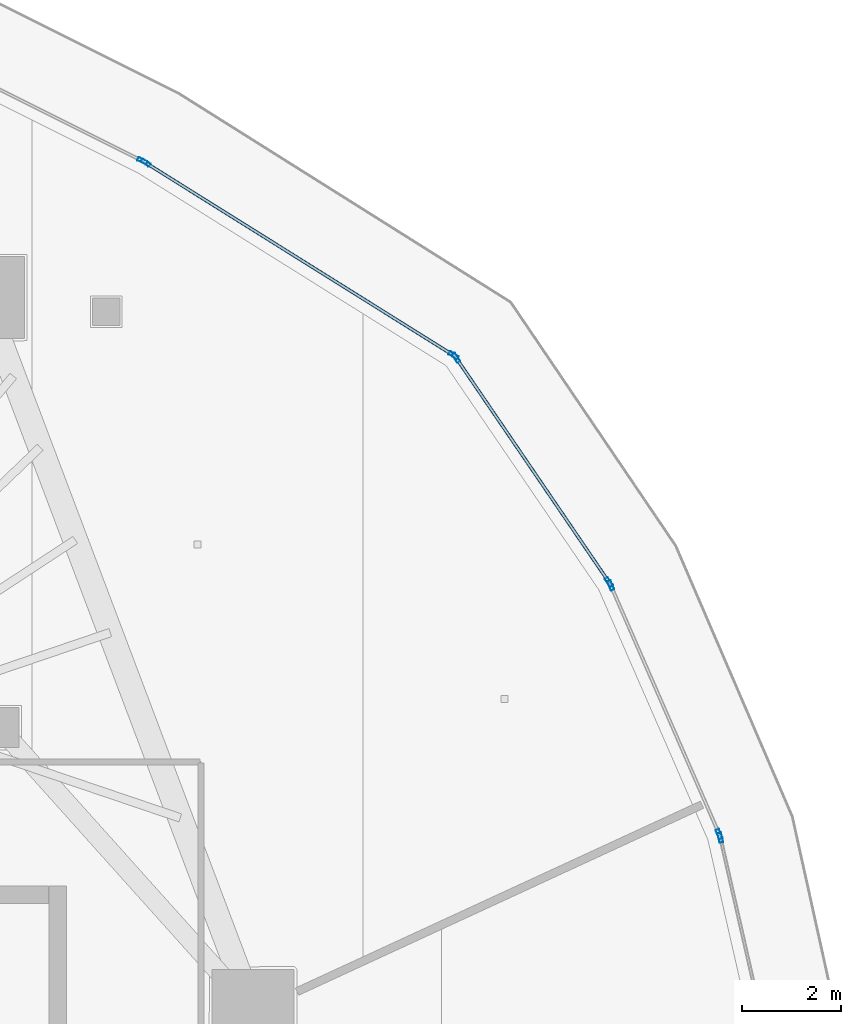
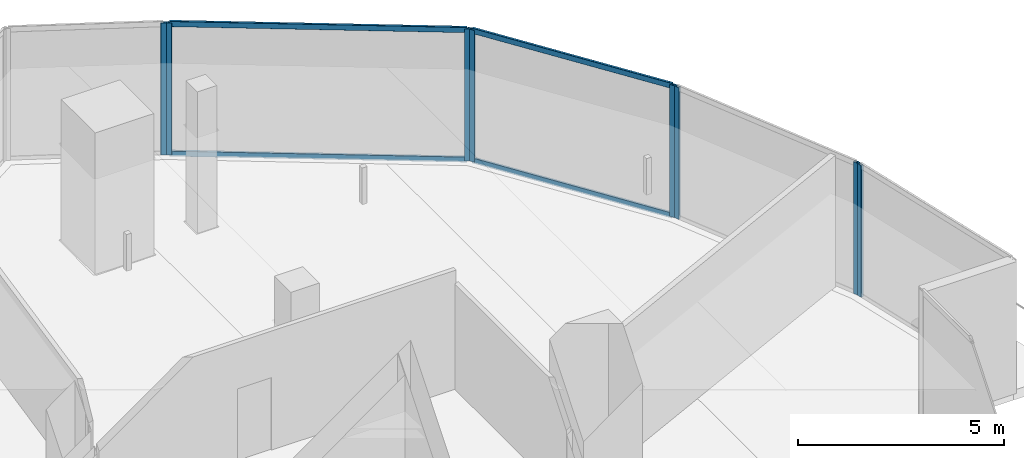
# One storey, part 19 of 31: 12 members, 5 elements without a shape of their own.
"""IFC4 building model written with IfcOpenShell, lengths in metres."""

import ifcopenshell
import ifcopenshell.guid

model = None  # the IFC model being written
_history = None  # IfcOwnerHistory: only IFC2X3 demands one
_inside = {}  # id of a spatial element -> (the spatial element, [elements in it])
_under = {}  # id of a project, library or spatial element -> (it, [spatial elements below it])
_declared = {}  # id of a project -> (the project, [libraries it declares])
_typed = {}  # id of a type object -> (the type object, [elements of that type])
_made_of = {}  # id of a material, layer set ... -> (it, [elements and type objects made of it])


def new_model(schema):
    """Start an empty IFC model of exactly this schema.

    Asked for "IFC4X3", IfcOpenShell would pick the latest addendum, in which some entities
    have other attributes; the version numbers below select the first issue.
    IFC2X3 requires an IfcOwnerHistory on every rooted entity: one is made here for all.
    """
    global model, _history
    if schema == "IFC4X3":
        model = ifcopenshell.file(schema_version=(4, 3, 0, 0))
    else:
        model = ifcopenshell.file(schema=schema)
    _inside.clear()
    _under.clear()
    _declared.clear()
    _typed.clear()
    _made_of.clear()
    _history = None
    if model.schema == "IFC2X3":
        org = make("IfcOrganization", Name="unknown")
        user = make(
            "IfcPersonAndOrganization",
            ThePerson=make("IfcPerson", FamilyName="unknown"),
            TheOrganization=org,
        )
        app = make(
            "IfcApplication",
            ApplicationDeveloper=org,
            Version="unknown",
            ApplicationFullName="unknown",
            ApplicationIdentifier="unknown",
        )
        _history = make(
            "IfcOwnerHistory",
            OwningUser=user,
            OwningApplication=app,
            ChangeAction="ADDED",
            CreationDate=0,
        )
    return model


def make(cls, **values):
    """One entity of the class cls with the attributes given. An attribute that is None is left unset."""
    return model.create_entity(
        cls, **{name: value for name, value in values.items() if value is not None}
    )


def rooted(cls, **values):
    """An entity with a GlobalId (a new one), such as an element, a storey or a relation."""
    return make(cls, GlobalId=ifcopenshell.guid.new(), OwnerHistory=_history, **values)


def si_unit(unit_type, name, prefix=None):
    """IfcSIUnit, for example si_unit("LENGTHUNIT", "METRE", prefix="MILLI")."""
    return make("IfcSIUnit", UnitType=unit_type, Prefix=prefix, Name=name)


def assignment(units):
    """IfcUnitAssignment: the units of a project."""
    return None if units is None else make("IfcUnitAssignment", Units=units)


def point(xyz):
    """IfcCartesianPoint."""
    return None if xyz is None else make("IfcCartesianPoint", Coordinates=xyz)


def direction(xyz):
    """IfcDirection."""
    return None if xyz is None else make("IfcDirection", DirectionRatios=xyz)


def frame(location, z_axis=None, x_axis=None):
    """IfcAxis2Placement3D, a coordinate frame: its origin and axes. An axis left out is left unset."""
    return make(
        "IfcAxis2Placement3D",
        Location=point(location),
        Axis=direction(z_axis),
        RefDirection=direction(x_axis),
    )


def frame_2d(location, x_axis=None):
    """IfcAxis2Placement2D, a coordinate frame in the plane: its origin and x axis."""
    return make(
        "IfcAxis2Placement2D", Location=point(location), RefDirection=direction(x_axis)
    )


def origin():
    """The frame at (0, 0, 0) with its axes left unset."""
    return frame((0.0, 0.0, 0.0))


def origin_2d():
    """The frame at (0, 0) in the plane with its x axis left unset."""
    return frame_2d((0.0, 0.0))


def place(relative_to, where):
    """IfcLocalPlacement: puts the frame where relative to a parent placement (None: the world)."""
    return make(
        "IfcLocalPlacement", PlacementRelTo=relative_to, RelativePlacement=where
    )


def context(
    kind, dimensions, precision=None, world=None, true_north=None, identifier=None
):
    """IfcGeometricRepresentationContext, for example the 3D "Model" context."""
    return make(
        "IfcGeometricRepresentationContext",
        ContextIdentifier=identifier,
        ContextType=kind,
        CoordinateSpaceDimension=dimensions,
        Precision=precision,
        WorldCoordinateSystem=world,
        TrueNorth=true_north,
    )


def subcontext(parent, identifier, kind, view, scale=None):
    """IfcGeometricRepresentationSubContext, for example "Body" below "Model"."""
    return make(
        "IfcGeometricRepresentationSubContext",
        ContextIdentifier=identifier,
        ContextType=kind,
        ParentContext=parent,
        TargetScale=scale,
        TargetView=view,
    )


def project(units=None, contexts=None):
    """IfcProject with its units and contexts."""
    return rooted(
        "IfcProject",
        Name="project",
        RepresentationContexts=contexts,
        UnitsInContext=assignment(units),
    )


def spatial(cls, under=None, at=None, **own):
    """A site, building, storey or space (cls), placed at a placement, below another one or the project."""
    s = rooted(cls, ObjectPlacement=at, **own)
    if under is not None:
        _under.setdefault(under.id(), (under, []))[1].append(s)
    return s


def profile(cls, at=None, kind="AREA", **sizes):
    """A parametric profile (cls). Its sizes go by their IFC names, for example OverallWidth=200.0."""
    return make(cls, ProfileType=kind, Position=at, **sizes)


def hollow_rectangle(**sizes):
    """IfcRectangleHollowProfileDef."""
    return profile("IfcRectangleHollowProfileDef", **sizes)


def extrude(swept, where, along, depth):
    """IfcExtrudedAreaSolid: the profile swept, set in the frame where, extruded along a direction by depth."""
    return make(
        "IfcExtrudedAreaSolid",
        SweptArea=swept,
        Position=where,
        ExtrudedDirection=direction(along),
        Depth=depth,
    )


def shape(context_of_items, identifier, shape_type, items):
    """IfcShapeRepresentation: the items that make up one representation, for example the "Body"."""
    return make(
        "IfcShapeRepresentation",
        ContextOfItems=context_of_items,
        RepresentationIdentifier=identifier,
        RepresentationType=shape_type,
        Items=items,
    )


def material(Name=None, Category=None):
    """IfcMaterial."""
    return make("IfcMaterial", Name=Name, Category=Category)


def layer(
    of_material, thickness, ventilated=None, Name=None, Category=None, Priority=None
):
    """IfcMaterialLayer: one layer of a wall or slab, of a material (None: an air gap)."""
    return make(
        "IfcMaterialLayer",
        Material=of_material,
        LayerThickness=thickness,
        IsVentilated=ventilated,
        Name=Name,
        Category=Category,
        Priority=Priority,
    )


def layer_set(layers, Name=None):
    """IfcMaterialLayerSet."""
    return make("IfcMaterialLayerSet", MaterialLayers=layers, LayerSetName=Name)


def material_profile(
    of_material, cross_section, Name=None, Category=None, Priority=None
):
    """IfcMaterialProfile: a cross section and its material."""
    return make(
        "IfcMaterialProfile",
        Name=Name,
        Material=of_material,
        Profile=cross_section,
        Priority=Priority,
        Category=Category,
    )


def profile_set(profiles, Name=None, composite=None):
    """IfcMaterialProfileSet."""
    return make(
        "IfcMaterialProfileSet",
        Name=Name,
        MaterialProfiles=profiles,
        CompositeProfile=composite,
    )


def made_of(thing, what):
    """Note that an element or type object is made of a material, layer set ...; save() writes the relation."""
    if what is not None:
        _made_of.setdefault(what.id(), (what, []))[1].append(thing)
    return thing


def type_object(cls, material=None, **own):
    """A type object (cls), such as IfcWallType, which elements share."""
    return made_of(rooted(cls, **own), material)


def element(
    cls,
    number,
    at=None,
    inside=None,
    cuts=None,
    type_object=None,
    material=None,
    context=None,
    identifier="Body",
    shape_type=None,
    held_by="IfcProductDefinitionShape",
    body=None,
    shapes=None,
    **own,
):
    """One element of the class cls, such as IfcWall. Its Tag is "e" and its number.

    at: its placement. inside: the storey or other place that contains it. cuts: it is an
    opening in that element (IfcRelVoidsElement). A single representation is given by context,
    identifier, shape_type and body (its items); several are given by shapes. held_by: the class
    of the entity that holds the representations. save() writes the other relations.
    """
    e = rooted(cls, Tag="e%d" % number, ObjectPlacement=at, **own)
    if body is not None:
        shapes = [shape(context, identifier, shape_type, body)]
    if shapes is not None:
        e.Representation = make(held_by, Representations=shapes)
    if inside is not None:
        _inside.setdefault(inside.id(), (inside, []))[1].append(e)
    if cuts is not None:
        rooted(
            "IfcRelVoidsElement", RelatingBuildingElement=cuts, RelatedOpeningElement=e
        )
    if type_object is not None:
        _typed.setdefault(type_object.id(), (type_object, []))[1].append(e)
    return made_of(e, material)


def aggregate(whole, parts):
    """IfcRelAggregates: a whole, such as a stair, and the parts it consists of."""
    return rooted("IfcRelAggregates", RelatingObject=whole, RelatedObjects=parts)


def save(model, path):
    """Write the relations noted so far, then the file.

    IfcRelAggregates (storeys below a building ...), IfcRelContainedInSpatialStructure (elements
    in a storey), IfcRelDefinesByType, IfcRelAssociatesMaterial and IfcRelDeclares: one each for
    every whole, place, type object, material and project.
    """
    for whole, parts in _under.values():
        aggregate(whole, parts)
    for where, things in _inside.values():
        rooted(
            "IfcRelContainedInSpatialStructure",
            RelatedElements=things,
            RelatingStructure=where,
        )
    for kind, things in _typed.values():
        rooted("IfcRelDefinesByType", RelatedObjects=things, RelatingType=kind)
    for what, things in _made_of.values():
        rooted("IfcRelAssociatesMaterial", RelatedObjects=things, RelatingMaterial=what)
    for by, libraries in _declared.values():
        rooted("IfcRelDeclares", RelatingContext=by, RelatedDefinitions=libraries)
    model.write(path)


model = new_model("IFC4")

# Units and contexts
model_context = context("Model", 3, precision=1e-05, world=origin(), true_north=direction((0.0, 1.0)))
body_context = subcontext(model_context, "Body", "Model", "MODEL_VIEW")
ifc_project = project(units=[si_unit("LENGTHUNIT", "METRE"), si_unit("AREAUNIT", "SQUARE_METRE"), si_unit("VOLUMEUNIT", "CUBIC_METRE"), si_unit("PLANEANGLEUNIT", "RADIAN"), si_unit("MASSUNIT", "GRAM", prefix="KILO")], contexts=[model_context])

# Site, building, storey
site_placement = place(None, origin())
site = spatial("IfcSite", under=ifc_project, at=site_placement, CompositionType="ELEMENT")
building_placement = place(site_placement, origin())
building = spatial("IfcBuilding", under=site, at=building_placement, Name="Qorvath Tower", CompositionType="ELEMENT")
storey_placement = place(building_placement, frame((0.0, 0.0, 264.0)))
storey = spatial("IfcBuildingStorey", under=building, at=storey_placement, Name="L61", CompositionType="ELEMENT", Elevation=264.0)

# Curtain wall, member
ifc_material_1 = material(Name="Anodised aluminium and triple low-E glass", Category="aluminium")
ifc_layer = layer(ifc_material_1, 0.179931640625)
ifc_layer_set = layer_set([ifc_layer], Name="CW-SYS-4")
curtain_wall_type = type_object("IfcCurtainWallType", Name="CW-SYS-4", PredefinedType="NOTDEFINED", material=ifc_layer_set)
curtain_wall_1_placement = place(storey_placement, origin())
curtain_wall_1 = element("IfcCurtainWall", 1, at=curtain_wall_1_placement, inside=storey, type_object=curtain_wall_type, Name="Curtain Wall CW-4 CW-T-L61-11.1", PredefinedType="NOTDEFINED")
ifc_material_2 = material(Name="Anodised aluminium 6063-T6", Category="aluminium")
ifc_material_profile_1 = material_profile(ifc_material_2, hollow_rectangle(XDim=0.074951171875, YDim=0.199951171875, WallThickness=0.00390625, InnerFilletRadius=0.00390625, OuterFilletRadius=0.008056640625, at=origin_2d()), Name="CWM 200x75")
ifc_profile_set_1 = profile_set([ifc_material_profile_1], Name="Anodised aluminium 6063-T6")
member_type_1 = type_object("IfcMemberType", Name="CWM-200", PredefinedType="MULLION", material=ifc_profile_set_1)
member_1_placement = place(storey_placement, frame((-2.690185546875, 9.233154296875, 0.0), z_axis=(0.0, 0.0, 1.0), x_axis=(-0.97494194825, -0.22245942898, 0.0)))
member_1 = element("IfcMember", 2, at=member_1_placement, type_object=member_type_1, Name="CW-4 mullion 2", PredefinedType="MULLION", context=body_context, shape_type="SweptSolid", body=[
    extrude(hollow_rectangle(XDim=0.074951171875, YDim=0.199951171875, WallThickness=0.00390625, InnerFilletRadius=0.00390625, OuterFilletRadius=0.008056640625, at=origin_2d()), origin(), (0.0, 0.0, 1.0), 3.909912109375),
])
aggregate(curtain_wall_1, [member_1])

# Curtain wall, members
curtain_wall_2_placement = place(storey_placement, origin())
curtain_wall_2 = element("IfcCurtainWall", 3, at=curtain_wall_2_placement, inside=storey, type_object=curtain_wall_type, Name="Curtain Wall CW-4 CW-T-L61-12.1", PredefinedType="NOTDEFINED")
member_2_placement = place(storey_placement, frame((-2.71337890625, 9.30419921875, 0.0), z_axis=(0.0, 0.0, 1.0), x_axis=(-0.916612312055, -0.399777274729, 0.0)))
member_2 = element("IfcMember", 4, at=member_2_placement, type_object=member_type_1, Name="CW-4 mullion 1", PredefinedType="MULLION", context=body_context, shape_type="SweptSolid", body=[
    extrude(hollow_rectangle(XDim=0.074951171875, YDim=0.199951171875, WallThickness=0.00390625, InnerFilletRadius=0.00390625, OuterFilletRadius=0.008056640625, at=origin_2d()), origin(), (0.0, 0.0, 1.0), 3.909912109375),
])
member_3_placement = place(storey_placement, frame((-4.89697265625, 14.310302734375, 0.0), z_axis=(0.0, 0.0, 1.0), x_axis=(-0.916612312055, -0.399777274729, 0.0)))
member_3 = element("IfcMember", 5, at=member_3_placement, type_object=member_type_1, Name="CW-4 mullion 2", PredefinedType="MULLION", context=body_context, shape_type="SweptSolid", body=[
    extrude(hollow_rectangle(XDim=0.074951171875, YDim=0.199951171875, WallThickness=0.00390625, InnerFilletRadius=0.00390625, OuterFilletRadius=0.008056640625, at=origin_2d()), origin(), (0.0, 0.0, 1.0), 3.909912109375),
])
aggregate(curtain_wall_2, [member_2, member_3])

curtain_wall_3_placement = place(storey_placement, origin())
curtain_wall_3 = element("IfcCurtainWall", 6, at=curtain_wall_3_placement, inside=storey, type_object=curtain_wall_type, Name="Curtain Wall CW-4 CW-T-L61-13.1", PredefinedType="NOTDEFINED")
member_4_placement = place(storey_placement, frame((-4.93310546875, 14.375732421875, 0.0), z_axis=(0.0, 0.0, 1.0), x_axis=(-0.826358006639, -0.563145136589, 0.0)))
member_4 = element("IfcMember", 7, at=member_4_placement, type_object=member_type_1, Name="CW-4 mullion 1", PredefinedType="MULLION", context=body_context, shape_type="SweptSolid", body=[
    extrude(hollow_rectangle(XDim=0.074951171875, YDim=0.199951171875, WallThickness=0.00390625, InnerFilletRadius=0.00390625, OuterFilletRadius=0.008056640625, at=origin_2d()), origin(), (0.0, 0.0, 1.0), 3.909912109375),
])
member_5_placement = place(storey_placement, frame((-8.0087890625, 18.888916015625, 0.0), z_axis=(0.0, 0.0, 1.0), x_axis=(-0.826358006639, -0.563145136589, 0.0)))
member_5 = element("IfcMember", 8, at=member_5_placement, type_object=member_type_1, Name="CW-4 mullion 2", PredefinedType="MULLION", context=body_context, shape_type="SweptSolid", body=[
    extrude(hollow_rectangle(XDim=0.074951171875, YDim=0.199951171875, WallThickness=0.00390625, InnerFilletRadius=0.00390625, OuterFilletRadius=0.008056640625, at=origin_2d()), origin(), (0.0, 0.0, 1.0), 3.909912109375),
])

curtain_wall_4_placement = place(storey_placement, origin())
curtain_wall_4 = element("IfcCurtainWall", 9, at=curtain_wall_4_placement, inside=storey, type_object=curtain_wall_type, Name="Curtain Wall CW-4 CW-T-L61-14.1", PredefinedType="NOTDEFINED")
member_6_placement = place(storey_placement, frame((-8.0615234375, 18.939697265625, 0.0), z_axis=(0.0, 0.0, 1.0), x_axis=(-0.530411579376, -0.847740264741, 0.0)))
member_6 = element("IfcMember", 10, at=member_6_placement, type_object=member_type_1, Name="CW-4 mullion 1", PredefinedType="MULLION", context=body_context, shape_type="SweptSolid", body=[
    extrude(hollow_rectangle(XDim=0.074951171875, YDim=0.199951171875, WallThickness=0.00390625, InnerFilletRadius=0.00390625, OuterFilletRadius=0.008056640625, at=origin_2d()), origin(), (0.0, 0.0, 1.0), 3.909912109375),
])
member_7_placement = place(storey_placement, frame((-14.25732421875, 22.81640625, 0.0), z_axis=(0.0, 0.0, 1.0), x_axis=(-0.530411579376, -0.847740264741, 0.0)))
member_7 = element("IfcMember", 11, at=member_7_placement, type_object=member_type_1, Name="CW-4 mullion 2", PredefinedType="MULLION", context=body_context, shape_type="SweptSolid", body=[
    extrude(hollow_rectangle(XDim=0.074951171875, YDim=0.199951171875, WallThickness=0.00390625, InnerFilletRadius=0.00390625, OuterFilletRadius=0.008056640625, at=origin_2d()), origin(), (0.0, 0.0, 1.0), 3.909912109375),
])

# Curtain wall, member
curtain_wall_5_placement = place(storey_placement, origin())
curtain_wall_5 = element("IfcCurtainWall", 12, at=curtain_wall_5_placement, inside=storey, type_object=curtain_wall_type, Name="Curtain Wall CW-4 CW-T-L61-15.1", PredefinedType="NOTDEFINED")
member_8_placement = place(storey_placement, frame((-14.32275390625, 22.85302734375, 0.0), z_axis=(0.0, 0.0, 1.0), x_axis=(-0.447193229071, -0.894437373924, 0.0)))
member_8 = element("IfcMember", 13, at=member_8_placement, type_object=member_type_1, Name="CW-4 mullion 1", PredefinedType="MULLION", context=body_context, shape_type="SweptSolid", body=[
    extrude(hollow_rectangle(XDim=0.074951171875, YDim=0.199951171875, WallThickness=0.00390625, InnerFilletRadius=0.00390625, OuterFilletRadius=0.008056640625, at=origin_2d()), origin(), (0.0, 0.0, 1.0), 3.909912109375),
])
aggregate(curtain_wall_5, [member_8])

# Member
ifc_material_3 = material(Name="Anodised aluminium 6063-T6", Category="aluminium")
ifc_material_profile_2 = material_profile(ifc_material_3, hollow_rectangle(XDim=0.06494140625, YDim=0.159912109375, WallThickness=0.00341796875, InnerFilletRadius=0.00341796875, OuterFilletRadius=0.007080078125, at=origin_2d()), Name="CWT 160x65")
ifc_profile_set_2 = profile_set([ifc_material_profile_2], Name="Anodised aluminium 6063-T6")
member_type_2 = type_object("IfcMemberType", Name="CWT-160", PredefinedType="USERDEFINED", material=ifc_profile_set_2)
member_9_placement = place(storey_placement, frame((-4.9541015625, 14.40673828125, 0.032470703125), z_axis=(-0.563153979545, 0.826351980286, 0.0), x_axis=(-0.826351980286, -0.563153979545, 0.0)))
member_9 = element("IfcMember", 14, at=member_9_placement, type_object=member_type_2, Name="CW-4 transom 1.1", ObjectType="TRANSOM", PredefinedType="USERDEFINED", context=body_context, shape_type="SweptSolid", body=[
    extrude(hollow_rectangle(XDim=0.06494140625, YDim=0.159912109375, WallThickness=0.00341796875, InnerFilletRadius=0.00341796875, OuterFilletRadius=0.007080078125, at=origin_2d()), origin(), (0.0, 0.0, 1.0), 5.386474609375),
])

member_10_placement = place(storey_placement, frame((-4.9541015625, 14.40673828125, 3.87744140625), z_axis=(-0.563153979545, 0.826351980286, 0.0), x_axis=(-0.826351980286, -0.563153979545, 0.0)))
member_10 = element("IfcMember", 15, at=member_10_placement, type_object=member_type_2, Name="CW-4 transom 1.2", ObjectType="TRANSOM", PredefinedType="USERDEFINED", context=body_context, shape_type="SweptSolid", body=[
    extrude(hollow_rectangle(XDim=0.06494140625, YDim=0.159912109375, WallThickness=0.00341796875, InnerFilletRadius=0.00341796875, OuterFilletRadius=0.007080078125, at=origin_2d()), origin(), (0.0, 0.0, 1.0), 5.386474609375),
])

aggregate(curtain_wall_3, [member_4, member_5, member_9, member_10])

member_11_placement = place(storey_placement, frame((-8.09326171875, 18.959716796875, 0.032470703125), z_axis=(-0.847751717941, 0.530393273646, 0.0), x_axis=(-0.530393273646, -0.847751717941, 0.0)))
member_11 = element("IfcMember", 16, at=member_11_placement, type_object=member_type_2, Name="CW-4 transom 1.1", ObjectType="TRANSOM", PredefinedType="USERDEFINED", context=body_context, shape_type="SweptSolid", body=[
    extrude(hollow_rectangle(XDim=0.06494140625, YDim=0.159912109375, WallThickness=0.00341796875, InnerFilletRadius=0.00341796875, OuterFilletRadius=0.007080078125, at=origin_2d()), origin(), (0.0, 0.0, 1.0), 7.233642578125),
])

member_12_placement = place(storey_placement, frame((-8.09326171875, 18.959716796875, 3.87744140625), z_axis=(-0.847751717941, 0.530393273646, 0.0), x_axis=(-0.530393273646, -0.847751717941, 0.0)))
member_12 = element("IfcMember", 17, at=member_12_placement, type_object=member_type_2, Name="CW-4 transom 1.2", ObjectType="TRANSOM", PredefinedType="USERDEFINED", context=body_context, shape_type="SweptSolid", body=[
    extrude(hollow_rectangle(XDim=0.06494140625, YDim=0.159912109375, WallThickness=0.00341796875, InnerFilletRadius=0.00341796875, OuterFilletRadius=0.007080078125, at=origin_2d()), origin(), (0.0, 0.0, 1.0), 7.233642578125),
])

aggregate(curtain_wall_4, [member_6, member_7, member_11, member_12])

save(model, "model.ifc")
